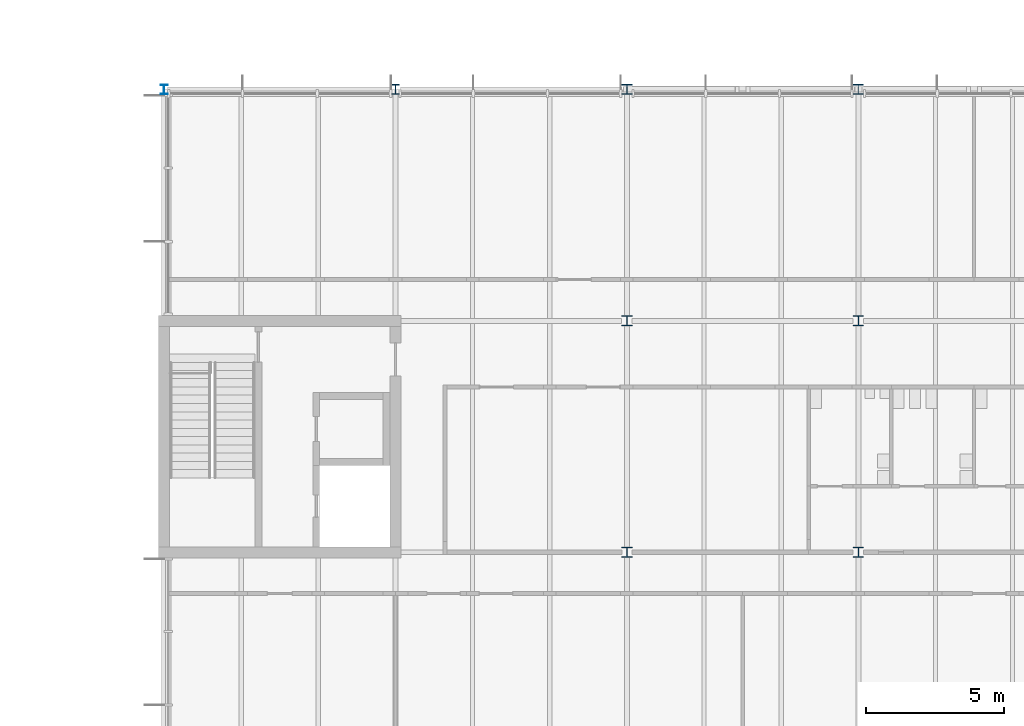
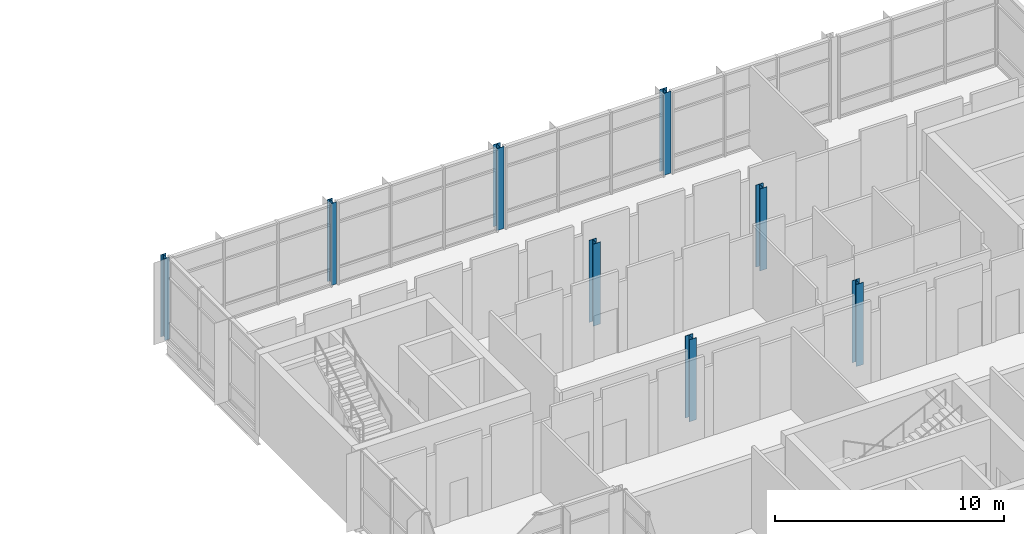
# One storey, part 9 of 72: 8 columns.
"""IFC4 building model written with IfcOpenShell, lengths in metres."""

import ifcopenshell
import ifcopenshell.guid

model = None  # the IFC model being written
_history = None  # IfcOwnerHistory: only IFC2X3 demands one
_inside = {}  # id of a spatial element -> (the spatial element, [elements in it])
_under = {}  # id of a project, library or spatial element -> (it, [spatial elements below it])
_declared = {}  # id of a project -> (the project, [libraries it declares])
_typed = {}  # id of a type object -> (the type object, [elements of that type])
_made_of = {}  # id of a material, layer set ... -> (it, [elements and type objects made of it])


def new_model(schema):
    """Start an empty IFC model of exactly this schema.

    Asked for "IFC4X3", IfcOpenShell would pick the latest addendum, in which some entities
    have other attributes; the version numbers below select the first issue.
    IFC2X3 requires an IfcOwnerHistory on every rooted entity: one is made here for all.
    """
    global model, _history
    if schema == "IFC4X3":
        model = ifcopenshell.file(schema_version=(4, 3, 0, 0))
    else:
        model = ifcopenshell.file(schema=schema)
    _inside.clear()
    _under.clear()
    _declared.clear()
    _typed.clear()
    _made_of.clear()
    _history = None
    if model.schema == "IFC2X3":
        org = make("IfcOrganization", Name="unknown")
        user = make(
            "IfcPersonAndOrganization",
            ThePerson=make("IfcPerson", FamilyName="unknown"),
            TheOrganization=org,
        )
        app = make(
            "IfcApplication",
            ApplicationDeveloper=org,
            Version="unknown",
            ApplicationFullName="unknown",
            ApplicationIdentifier="unknown",
        )
        _history = make(
            "IfcOwnerHistory",
            OwningUser=user,
            OwningApplication=app,
            ChangeAction="ADDED",
            CreationDate=0,
        )
    return model


def make(cls, **values):
    """One entity of the class cls with the attributes given. An attribute that is None is left unset."""
    return model.create_entity(
        cls, **{name: value for name, value in values.items() if value is not None}
    )


def rooted(cls, **values):
    """An entity with a GlobalId (a new one), such as an element, a storey or a relation."""
    return make(cls, GlobalId=ifcopenshell.guid.new(), OwnerHistory=_history, **values)


def si_unit(unit_type, name, prefix=None):
    """IfcSIUnit, for example si_unit("LENGTHUNIT", "METRE", prefix="MILLI")."""
    return make("IfcSIUnit", UnitType=unit_type, Prefix=prefix, Name=name)


def assignment(units):
    """IfcUnitAssignment: the units of a project."""
    return None if units is None else make("IfcUnitAssignment", Units=units)


def point(xyz):
    """IfcCartesianPoint."""
    return None if xyz is None else make("IfcCartesianPoint", Coordinates=xyz)


def direction(xyz):
    """IfcDirection."""
    return None if xyz is None else make("IfcDirection", DirectionRatios=xyz)


def frame(location, z_axis=None, x_axis=None):
    """IfcAxis2Placement3D, a coordinate frame: its origin and axes. An axis left out is left unset."""
    return make(
        "IfcAxis2Placement3D",
        Location=point(location),
        Axis=direction(z_axis),
        RefDirection=direction(x_axis),
    )


def frame_2d(location, x_axis=None):
    """IfcAxis2Placement2D, a coordinate frame in the plane: its origin and x axis."""
    return make(
        "IfcAxis2Placement2D", Location=point(location), RefDirection=direction(x_axis)
    )


def origin():
    """The frame at (0, 0, 0) with its axes left unset."""
    return frame((0.0, 0.0, 0.0))


def origin_2d():
    """The frame at (0, 0) in the plane with its x axis left unset."""
    return frame_2d((0.0, 0.0))


def place(relative_to, where):
    """IfcLocalPlacement: puts the frame where relative to a parent placement (None: the world)."""
    return make(
        "IfcLocalPlacement", PlacementRelTo=relative_to, RelativePlacement=where
    )


def context(
    kind, dimensions, precision=None, world=None, true_north=None, identifier=None
):
    """IfcGeometricRepresentationContext, for example the 3D "Model" context."""
    return make(
        "IfcGeometricRepresentationContext",
        ContextIdentifier=identifier,
        ContextType=kind,
        CoordinateSpaceDimension=dimensions,
        Precision=precision,
        WorldCoordinateSystem=world,
        TrueNorth=true_north,
    )


def subcontext(parent, identifier, kind, view, scale=None):
    """IfcGeometricRepresentationSubContext, for example "Body" below "Model"."""
    return make(
        "IfcGeometricRepresentationSubContext",
        ContextIdentifier=identifier,
        ContextType=kind,
        ParentContext=parent,
        TargetScale=scale,
        TargetView=view,
    )


def project(units=None, contexts=None):
    """IfcProject with its units and contexts."""
    return rooted(
        "IfcProject",
        Name="project",
        RepresentationContexts=contexts,
        UnitsInContext=assignment(units),
    )


def spatial(cls, under=None, at=None, **own):
    """A site, building, storey or space (cls), placed at a placement, below another one or the project."""
    s = rooted(cls, ObjectPlacement=at, **own)
    if under is not None:
        _under.setdefault(under.id(), (under, []))[1].append(s)
    return s


def profile(cls, at=None, kind="AREA", **sizes):
    """A parametric profile (cls). Its sizes go by their IFC names, for example OverallWidth=200.0."""
    return make(cls, ProfileType=kind, Position=at, **sizes)


def i_section(**sizes):
    """IfcIShapeProfileDef."""
    return profile("IfcIShapeProfileDef", **sizes)


def extrude(swept, where, along, depth):
    """IfcExtrudedAreaSolid: the profile swept, set in the frame where, extruded along a direction by depth."""
    return make(
        "IfcExtrudedAreaSolid",
        SweptArea=swept,
        Position=where,
        ExtrudedDirection=direction(along),
        Depth=depth,
    )


def shape(context_of_items, identifier, shape_type, items):
    """IfcShapeRepresentation: the items that make up one representation, for example the "Body"."""
    return make(
        "IfcShapeRepresentation",
        ContextOfItems=context_of_items,
        RepresentationIdentifier=identifier,
        RepresentationType=shape_type,
        Items=items,
    )


def material(Name=None, Category=None):
    """IfcMaterial."""
    return make("IfcMaterial", Name=Name, Category=Category)


def material_profile(
    of_material, cross_section, Name=None, Category=None, Priority=None
):
    """IfcMaterialProfile: a cross section and its material."""
    return make(
        "IfcMaterialProfile",
        Name=Name,
        Material=of_material,
        Profile=cross_section,
        Priority=Priority,
        Category=Category,
    )


def profile_set(profiles, Name=None, composite=None):
    """IfcMaterialProfileSet."""
    return make(
        "IfcMaterialProfileSet",
        Name=Name,
        MaterialProfiles=profiles,
        CompositeProfile=composite,
    )


def made_of(thing, what):
    """Note that an element or type object is made of a material, layer set ...; save() writes the relation."""
    if what is not None:
        _made_of.setdefault(what.id(), (what, []))[1].append(thing)
    return thing


def type_object(cls, material=None, **own):
    """A type object (cls), such as IfcWallType, which elements share."""
    return made_of(rooted(cls, **own), material)


def element(
    cls,
    number,
    at=None,
    inside=None,
    cuts=None,
    type_object=None,
    material=None,
    context=None,
    identifier="Body",
    shape_type=None,
    held_by="IfcProductDefinitionShape",
    body=None,
    shapes=None,
    **own,
):
    """One element of the class cls, such as IfcWall. Its Tag is "e" and its number.

    at: its placement. inside: the storey or other place that contains it. cuts: it is an
    opening in that element (IfcRelVoidsElement). A single representation is given by context,
    identifier, shape_type and body (its items); several are given by shapes. held_by: the class
    of the entity that holds the representations. save() writes the other relations.
    """
    e = rooted(cls, Tag="e%d" % number, ObjectPlacement=at, **own)
    if body is not None:
        shapes = [shape(context, identifier, shape_type, body)]
    if shapes is not None:
        e.Representation = make(held_by, Representations=shapes)
    if inside is not None:
        _inside.setdefault(inside.id(), (inside, []))[1].append(e)
    if cuts is not None:
        rooted(
            "IfcRelVoidsElement", RelatingBuildingElement=cuts, RelatedOpeningElement=e
        )
    if type_object is not None:
        _typed.setdefault(type_object.id(), (type_object, []))[1].append(e)
    return made_of(e, material)


def aggregate(whole, parts):
    """IfcRelAggregates: a whole, such as a stair, and the parts it consists of."""
    return rooted("IfcRelAggregates", RelatingObject=whole, RelatedObjects=parts)


def save(model, path):
    """Write the relations noted so far, then the file.

    IfcRelAggregates (storeys below a building ...), IfcRelContainedInSpatialStructure (elements
    in a storey), IfcRelDefinesByType, IfcRelAssociatesMaterial and IfcRelDeclares: one each for
    every whole, place, type object, material and project.
    """
    for whole, parts in _under.values():
        aggregate(whole, parts)
    for where, things in _inside.values():
        rooted(
            "IfcRelContainedInSpatialStructure",
            RelatedElements=things,
            RelatingStructure=where,
        )
    for kind, things in _typed.values():
        rooted("IfcRelDefinesByType", RelatedObjects=things, RelatingType=kind)
    for what, things in _made_of.values():
        rooted("IfcRelAssociatesMaterial", RelatedObjects=things, RelatingMaterial=what)
    for by, libraries in _declared.values():
        rooted("IfcRelDeclares", RelatingContext=by, RelatedDefinitions=libraries)
    model.write(path)


model = new_model("IFC4")

# Units and contexts
model_context = context("Model", 3, precision=1e-05, world=origin(), true_north=direction((0.0, 1.0)))
body_context = subcontext(model_context, "Body", "Model", "MODEL_VIEW")
ifc_project = project(units=[si_unit("LENGTHUNIT", "METRE"), si_unit("AREAUNIT", "SQUARE_METRE"), si_unit("VOLUMEUNIT", "CUBIC_METRE"), si_unit("PLANEANGLEUNIT", "RADIAN"), si_unit("MASSUNIT", "GRAM", prefix="KILO")], contexts=[model_context])

# Site, building, storey
site_placement = place(None, origin())
site = spatial("IfcSite", under=ifc_project, at=site_placement, CompositionType="ELEMENT")
building_placement = place(site_placement, origin())
building = spatial("IfcBuilding", under=site, at=building_placement, Name="Hlaing Beacon Police Headquarters", CompositionType="ELEMENT")
storey_placement = place(building_placement, frame((0.0, 0.0, 14.39990234375)))
storey = spatial("IfcBuildingStorey", under=building, at=storey_placement, Name="L03", CompositionType="ELEMENT", Elevation=14.39990234375)

# Columns
ifc_material_1 = material(Name="Steel ASTM A992 Grade 50", Category="steel")
ifc_material_profile_1 = material_profile(ifc_material_1, i_section(OverallWidth=0.370849609375, OverallDepth=0.36328125, WebThickness=0.013427734375, FlangeThickness=0.021728515625, FilletRadius=0.01513671875, at=origin_2d()), Name="W14x109")
ifc_profile_set_1 = profile_set([ifc_material_profile_1], Name="Steel ASTM A992 Grade 50")
column_type_1 = type_object("IfcColumnType", Name="Steel column W14x109", PredefinedType="COLUMN", material=ifc_profile_set_1)
for number, where, z_axis, x_axis, name in (
    (1, (109.199951171875, 75.60009765625, 0.0), (0.0, 0.0, 1.0), (1.0, 0.0, 0.0), "STR-COL-L03-P10"),
    (2, (109.199951171875, 84.0, 0.0), (0.0, 0.0, 1.0), (1.0, 0.0, 0.0), "STR-COL-L03-P11"),
    (3, (117.60009765625, 75.60009765625, 0.0), (0.0, 0.0, 1.0), (1.0, 0.0, 0.0), "STR-COL-L03-Q10"),
    (4, (117.60009765625, 84.0, 0.0), (0.0, 0.0, 1.0), (1.0, 0.0, 0.0), "STR-COL-L03-Q11"),
):
    element("IfcColumn", number, at=place(storey_placement, frame(where, z_axis=z_axis, x_axis=x_axis)), inside=storey, type_object=column_type_1, Name=name, PredefinedType="COLUMN", context=body_context, shape_type="SweptSolid", body=[
        extrude(i_section(OverallWidth=0.370849609375, OverallDepth=0.36328125, WebThickness=0.013427734375, FlangeThickness=0.021728515625, FilletRadius=0.01513671875, at=origin_2d()), origin(), (0.0, 0.0, 1.0), 4.3701171875),
    ])
ifc_material_2 = material(Name="Steel ASTM A992 Grade 50", Category="steel")
ifc_material_profile_2 = material_profile(ifc_material_2, i_section(OverallWidth=0.25390625, OverallDepth=0.35302734375, WebThickness=0.009521484375, FlangeThickness=0.016357421875, FilletRadius=0.01513671875, at=origin_2d()), Name="W14x61")
ifc_profile_set_2 = profile_set([ifc_material_profile_2], Name="Steel ASTM A992 Grade 50")
column_type_2 = type_object("IfcColumnType", Name="Steel column W14x61", PredefinedType="COLUMN", material=ifc_profile_set_2)
column_1_placement = place(storey_placement, frame((92.39990234375, 92.39990234375, 0.0), z_axis=(0.0, 0.0, 1.0), x_axis=(1.0, 0.0, 0.0)))
element("IfcColumn", 5, at=column_1_placement, inside=storey, type_object=column_type_2, Name="STR-COL-L03-M12", PredefinedType="COLUMN", context=body_context, shape_type="SweptSolid", body=[
    extrude(i_section(OverallWidth=0.25390625, OverallDepth=0.35302734375, WebThickness=0.009521484375, FlangeThickness=0.016357421875, FilletRadius=0.01513671875, at=origin_2d()), origin(), (0.0, 0.0, 1.0), 4.3701171875),
])
ifc_material_3 = material(Name="Steel ASTM A992 Grade 50", Category="steel")
ifc_material_profile_3 = material_profile(ifc_material_3, i_section(OverallWidth=0.256591796875, OverallDepth=0.360595703125, WebThickness=0.011474609375, FlangeThickness=0.02001953125, FilletRadius=0.01513671875, at=origin_2d()), Name="W14x74")
ifc_profile_set_3 = profile_set([ifc_material_profile_3], Name="Steel ASTM A992 Grade 50")
column_type_3 = type_object("IfcColumnType", Name="Steel column W14x74", PredefinedType="COLUMN", material=ifc_profile_set_3)
column_2_placement = place(storey_placement, frame((100.800048828125, 92.39990234375, 0.0), z_axis=(0.0, 0.0, 1.0), x_axis=(1.0, 0.0, 0.0)))
element("IfcColumn", 6, at=column_2_placement, inside=storey, type_object=column_type_3, Name="STR-COL-L03-N12", PredefinedType="COLUMN", context=body_context, shape_type="SweptSolid", body=[
    extrude(i_section(OverallWidth=0.256591796875, OverallDepth=0.360595703125, WebThickness=0.011474609375, FlangeThickness=0.02001953125, FilletRadius=0.01513671875, at=origin_2d()), origin(), (0.0, 0.0, 1.0), 4.3701171875),
])
ifc_material_4 = material(Name="Steel ASTM A992 Grade 50", Category="steel")
ifc_material_profile_4 = material_profile(ifc_material_4, i_section(OverallWidth=0.370849609375, OverallDepth=0.360595703125, WebThickness=0.01220703125, FlangeThickness=0.019775390625, FilletRadius=0.01513671875, at=origin_2d()), Name="W14x99")
ifc_profile_set_4 = profile_set([ifc_material_profile_4], Name="Steel ASTM A992 Grade 50")
column_type_4 = type_object("IfcColumnType", Name="Steel column W14x99", PredefinedType="COLUMN", material=ifc_profile_set_4)
for number, where, z_axis, x_axis, name in (
    (7, (109.199951171875, 92.39990234375, 0.0), (0.0, 0.0, 1.0), (1.0, 0.0, 0.0), "STR-COL-L03-P12"),
    (8, (117.60009765625, 92.39990234375, 0.0), (0.0, 0.0, 1.0), (1.0, 0.0, 0.0), "STR-COL-L03-Q12"),
):
    element("IfcColumn", number, at=place(storey_placement, frame(where, z_axis=z_axis, x_axis=x_axis)), inside=storey, type_object=column_type_4, Name=name, PredefinedType="COLUMN", context=body_context, shape_type="SweptSolid", body=[
        extrude(i_section(OverallWidth=0.370849609375, OverallDepth=0.360595703125, WebThickness=0.01220703125, FlangeThickness=0.019775390625, FilletRadius=0.01513671875, at=origin_2d()), origin(), (0.0, 0.0, 1.0), 4.3701171875),
    ])

save(model, "model.ifc")
